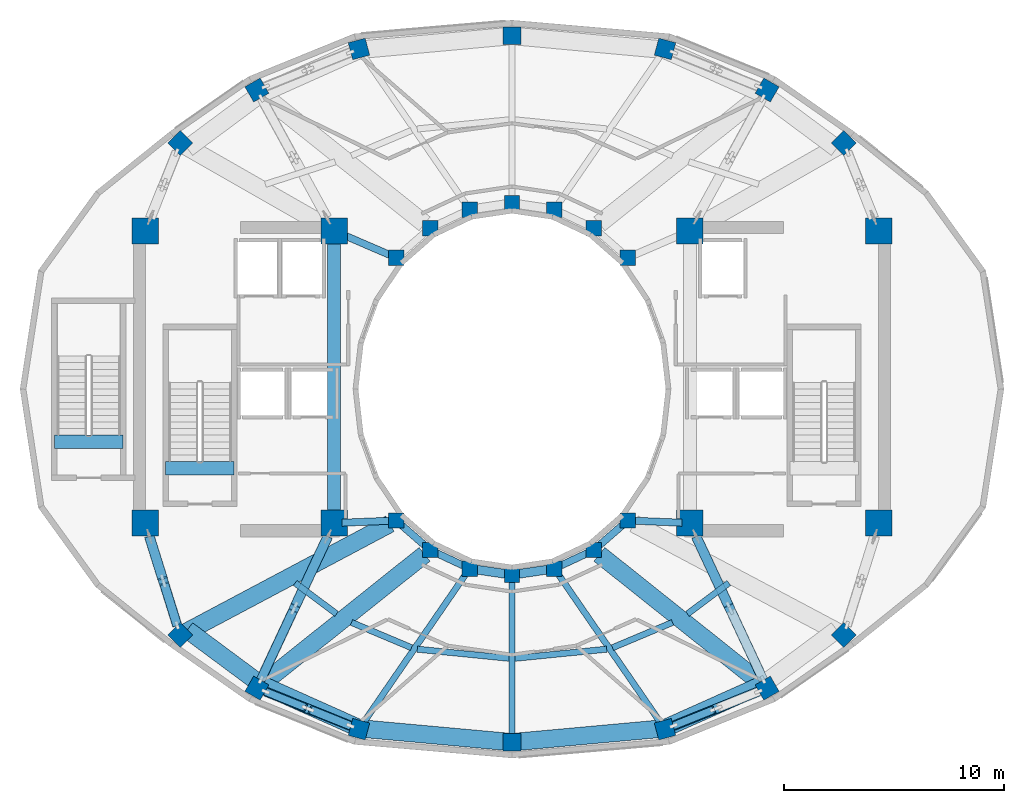
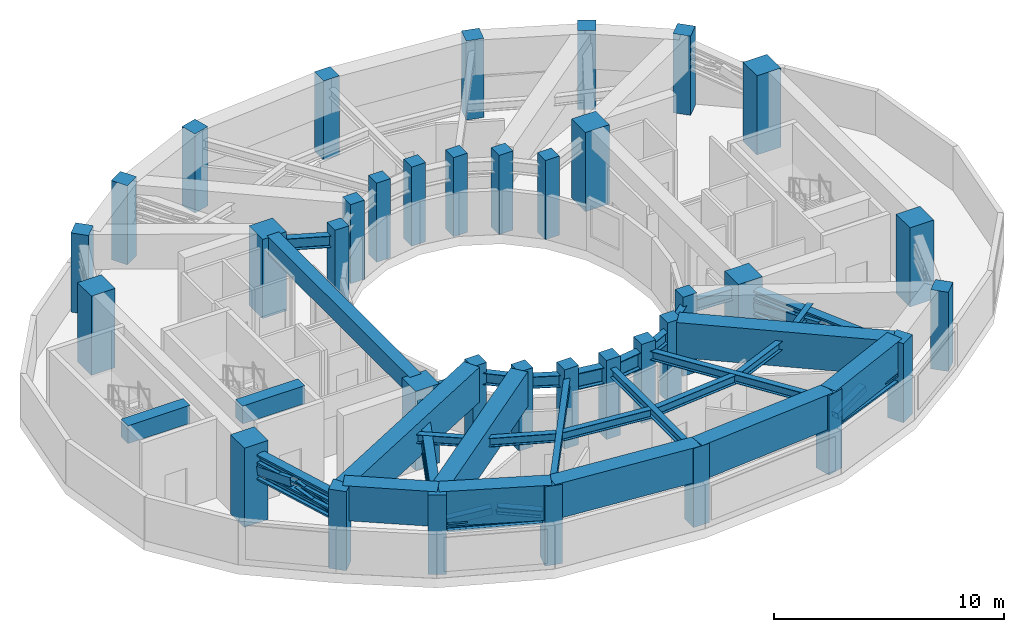
# One storey, part 1 of 10: 37 beams, 36 columns, 8 members.
"""IFC4 building model written with IfcOpenShell, lengths in metres."""

from ifc_helpers import new_model, si_unit, direction, frame, origin, origin_2d, place, context, subcontext, project, spatial, rectangle, hollow_rectangle, i_section, extrude, material, material_profile, profile_set, type_object, element, save


model = new_model("IFC4")

# Units and contexts
model_context = context("Model", 3, precision=1e-05, world=origin(), true_north=direction((0.0, 1.0)))
body_context = subcontext(model_context, "Body", "Model", "MODEL_VIEW")
ifc_project = project(units=[si_unit("LENGTHUNIT", "METRE"), si_unit("AREAUNIT", "SQUARE_METRE"), si_unit("VOLUMEUNIT", "CUBIC_METRE"), si_unit("PLANEANGLEUNIT", "RADIAN"), si_unit("MASSUNIT", "GRAM", prefix="KILO")], contexts=[model_context])

# Site, building, storey
site_placement = place(None, origin())
site = spatial("IfcSite", under=ifc_project, at=site_placement, CompositionType="ELEMENT")
building_placement = place(site_placement, origin())
building = spatial("IfcBuilding", under=site, at=building_placement, Name="Solvane Sanctuary Tower", CompositionType="ELEMENT")
storey_placement = place(building_placement, frame((0.0, 0.0, 193.199951171875)))
storey = spatial("IfcBuildingStorey", under=building, at=storey_placement, Name="L59", CompositionType="ELEMENT", Elevation=193.199951171875)

# Columns
ifc_material_1 = material(Name="Concrete C50/60", Category="concrete")
ifc_material_profile_1 = material_profile(ifc_material_1, rectangle(XDim=0.699951171875, YDim=0.699951171875, at=origin_2d()), Name="RC700X700")
ifc_profile_set_1 = profile_set([ifc_material_profile_1], Name="Concrete C50/60")
column_type_1 = type_object("IfcColumnType", Name="Column C-RING-Z4 RC700X700", PredefinedType="COLUMN", material=ifc_profile_set_1)
for number, where, z_axis, x_axis, name in (
    (1, (37.27490234375, 28.982177734375, 0.0), (0.0, 0.0, 1.0), (1.0, 0.0, 0.0), "L59 Inner Light-Well Ring Column IC01"),
    (2, (35.72998046875, 30.32666015625, 0.0), (0.0, 0.0, 1.0), (1.0, 0.0, 0.0), "L59 Inner Light-Well Ring Column IC02"),
    (3, (33.930908203125, 31.171630859375, 0.0), (0.0, 0.0, 1.0), (1.0, 0.0, 0.0), "L59 Inner Light-Well Ring Column IC03"),
    (4, (32.0, 31.4599609375, 0.0), (0.0, 0.0, 1.0), (1.0, 0.0, 0.0), "L59 Inner Light-Well Ring Column IC04"),
    (5, (30.069091796875, 31.171630859375, 0.0), (0.0, 0.0, 1.0), (1.0, 0.0, 0.0), "L59 Inner Light-Well Ring Column IC05"),
    (6, (28.27001953125, 30.32666015625, 0.0), (0.0, 0.0, 1.0), (1.0, 0.0, 0.0), "L59 Inner Light-Well Ring Column IC06"),
    (7, (26.72509765625, 28.982177734375, 0.0), (0.0, 0.0, 1.0), (1.0, 0.0, 0.0), "L59 Inner Light-Well Ring Column IC07"),
    (8, (26.72509765625, 17.017822265625, 0.0), (0.0, 0.0, 1.0), (1.0, 0.0, 0.0), "L59 Inner Light-Well Ring Column IC08"),
    (9, (28.27001953125, 15.67333984375, 0.0), (0.0, 0.0, 1.0), (1.0, 0.0, 0.0), "L59 Inner Light-Well Ring Column IC09"),
    (10, (30.069091796875, 14.828369140625, 0.0), (0.0, 0.0, 1.0), (1.0, 0.0, 0.0), "L59 Inner Light-Well Ring Column IC10"),
    (11, (32.0, 14.5400390625, 0.0), (0.0, 0.0, 1.0), (1.0, 0.0, 0.0), "L59 Inner Light-Well Ring Column IC11"),
    (12, (33.930908203125, 14.828369140625, 0.0), (0.0, 0.0, 1.0), (1.0, 0.0, 0.0), "L59 Inner Light-Well Ring Column IC12"),
    (13, (35.72998046875, 15.67333984375, 0.0), (0.0, 0.0, 1.0), (1.0, 0.0, 0.0), "L59 Inner Light-Well Ring Column IC13"),
    (14, (37.27490234375, 17.017822265625, 0.0), (0.0, 0.0, 1.0), (1.0, 0.0, 0.0), "L59 Inner Light-Well Ring Column IC14"),
):
    element("IfcColumn", number, at=place(storey_placement, frame(where, z_axis=z_axis, x_axis=x_axis)), inside=storey, type_object=column_type_1, Name=name, PredefinedType="COLUMN", context=body_context, shape_type="SweptSolid", body=[
        extrude(rectangle(XDim=0.699951171875, YDim=0.699951171875, at=origin_2d()), origin(), (0.0, 0.0, 1.0), 4.199951171875),
    ])
ifc_material_2 = material(Name="Concrete C70/85", Category="concrete")
ifc_material_profile_2 = material_profile(ifc_material_2, rectangle(XDim=1.199951171875, YDim=1.199951171875, at=origin_2d()), Name="RC1200X1200")
ifc_profile_set_2 = profile_set([ifc_material_profile_2], Name="Concrete C70/85")
column_type_2 = type_object("IfcColumnType", Name="Column C-TUBE-Z1 RC1200X1200", PredefinedType="COLUMN", material=ifc_profile_set_2)
for number, where, z_axis, x_axis, name in (
    (15, (15.300048828125, 16.89990234375, 0.0), (0.0, 0.0, 1.0), (1.0, 0.0, 0.0), "L59 Core Corner Column CW1"),
    (16, (23.89990234375, 16.89990234375, 0.0), (0.0, 0.0, 1.0), (1.0, 0.0, 0.0), "L59 Core Corner Column CW2"),
    (17, (23.89990234375, 30.199951171875, 0.0), (0.0, 0.0, 1.0), (1.0, 0.0, 0.0), "L59 Core Corner Column CW3"),
    (18, (15.300048828125, 30.199951171875, 0.0), (0.0, 0.0, 1.0), (1.0, 0.0, 0.0), "L59 Core Corner Column CW4"),
    (19, (40.10009765625, 16.89990234375, 0.0), (0.0, 0.0, 1.0), (1.0, 0.0, 0.0), "L59 Core Corner Column CE1"),
    (20, (48.699951171875, 16.89990234375, 0.0), (0.0, 0.0, 1.0), (1.0, 0.0, 0.0), "L59 Core Corner Column CE2"),
    (21, (48.699951171875, 30.199951171875, 0.0), (0.0, 0.0, 1.0), (1.0, 0.0, 0.0), "L59 Core Corner Column CE3"),
    (22, (40.10009765625, 30.199951171875, 0.0), (0.0, 0.0, 1.0), (1.0, 0.0, 0.0), "L59 Core Corner Column CE4"),
):
    element("IfcColumn", number, at=place(storey_placement, frame(where, z_axis=z_axis, x_axis=x_axis)), inside=storey, type_object=column_type_2, Name=name, PredefinedType="COLUMN", context=body_context, shape_type="SweptSolid", body=[
        extrude(rectangle(XDim=1.199951171875, YDim=1.199951171875, at=origin_2d()), origin(), (0.0, 0.0, 1.0), 4.199951171875),
    ])
ifc_material_profile_3 = material_profile(ifc_material_1, rectangle(XDim=0.800048828125, YDim=0.800048828125, at=origin_2d()), Name="RC800X800")
ifc_profile_set_3 = profile_set([ifc_material_profile_3], Name="Concrete C50/60")
column_type_3 = type_object("IfcColumnType", Name="Column C-TUBE-Z4 RC800X800", PredefinedType="COLUMN", material=ifc_profile_set_3)
for number, where, z_axis, x_axis, name in (
    (23, (47.104736328125, 34.203125, 0.0), (0.0, 0.0, 1.0), (0.707106781187, 0.707106781187, 0.0), "L59 Perimeter Tube Column TC01"),
    (24, (43.6142578125, 36.614990234375, 0.0), (0.0, 0.0, 1.0), (0.5, 0.866025403784, 0.0), "L59 Perimeter Tube Column TC02"),
    (25, (38.96728515625, 38.4853515625, 0.0), (0.0, 0.0, 1.0), (0.258819045103, 0.965925826289, 0.0), "L59 Perimeter Tube Column TC03"),
    (26, (32.0, 39.080078125, 0.0), (0.0, 0.0, 1.0), (0.0, 1.0, 0.0), "L59 Perimeter Tube Column TC04"),
    (27, (25.03271484375, 38.4853515625, 0.0), (0.0, 0.0, 1.0), (-0.258819045103, 0.965925826289, 0.0), "L59 Perimeter Tube Column TC05"),
    (28, (20.3857421875, 36.614990234375, 0.0), (0.0, 0.0, 1.0), (-0.5, 0.866025403784, 0.0), "L59 Perimeter Tube Column TC06"),
    (29, (16.895263671875, 34.203125, 0.0), (0.0, 0.0, 1.0), (-0.707106781187, 0.707106781187, 0.0), "L59 Perimeter Tube Column TC07"),
    (30, (16.895263671875, 11.796875, 0.0), (0.0, 0.0, 1.0), (-0.707106781187, -0.707106781187, 0.0), "L59 Perimeter Tube Column TC08"),
    (31, (20.3857421875, 9.385009765625, 0.0), (0.0, 0.0, 1.0), (-0.5, -0.866025403784, 0.0), "L59 Perimeter Tube Column TC09"),
    (32, (25.03271484375, 7.5146484375, 0.0), (0.0, 0.0, 1.0), (-0.258819045103, -0.965925826289, 0.0), "L59 Perimeter Tube Column TC10"),
    (33, (32.0, 6.919921875, 0.0), (0.0, 0.0, 1.0), (0.0, -1.0, 0.0), "L59 Perimeter Tube Column TC11"),
    (34, (38.96728515625, 7.5146484375, 0.0), (0.0, 0.0, 1.0), (0.258819045103, -0.965925826289, 0.0), "L59 Perimeter Tube Column TC12"),
    (35, (43.6142578125, 9.385009765625, 0.0), (0.0, 0.0, 1.0), (0.5, -0.866025403784, 0.0), "L59 Perimeter Tube Column TC13"),
    (36, (47.104736328125, 11.796875, 0.0), (0.0, 0.0, 1.0), (0.707106781187, -0.707106781187, 0.0), "L59 Perimeter Tube Column TC14"),
):
    element("IfcColumn", number, at=place(storey_placement, frame(where, z_axis=z_axis, x_axis=x_axis)), inside=storey, type_object=column_type_3, Name=name, PredefinedType="COLUMN", context=body_context, shape_type="SweptSolid", body=[
        extrude(rectangle(XDim=0.800048828125, YDim=0.800048828125, at=origin_2d()), origin(), (0.0, 0.0, 1.0), 4.199951171875),
    ])

# Beams
ifc_material_3 = material(Name="Steel ASTM A913 Grade 65", Category="steel")
ifc_material_profile_4 = material_profile(ifc_material_3, i_section(OverallWidth=0.403076171875, OverallDepth=0.867919921875, WebThickness=0.02099609375, FlangeThickness=0.03564453125, FilletRadius=0.02197265625, at=origin_2d()), Name="W33X241")
ifc_profile_set_4 = profile_set([ifc_material_profile_4], Name="Steel ASTM A913 Grade 65")
beam_type_1 = type_object("IfcBeamType", Name="Beam B-BELT-CH W33X241", PredefinedType="BEAM", material=ifc_profile_set_4)
for number, where, z_axis, x_axis, name in (
    (37, (30.3857421875, 14.781005859375, 3.26416015625), (0.989056121481, -0.147539786368, 0.0), (0.147539786368, 0.989056121481, 0.0), "L59 Inner Belt Chord IC10-IC11"),
    (38, (32.31640625, 14.58740234375, 3.26416015625), (0.989056121481, 0.147539786368, 0.0), (-0.147539786368, 0.989056121481, 0.0), "L59 Inner Belt Chord IC11-IC12"),
):
    element("IfcBeam", number, at=place(storey_placement, frame(where, z_axis=z_axis, x_axis=x_axis)), inside=storey, type_object=beam_type_1, Name=name, PredefinedType="BEAM", context=body_context, shape_type="SweptSolid", body=[
        extrude(i_section(OverallWidth=0.403076171875, OverallDepth=0.867919921875, WebThickness=0.02099609375, FlangeThickness=0.03564453125, FilletRadius=0.02197265625, at=origin_2d()), origin(), (0.0, 0.0, 1.0), 1.312255859375),
    ])
ifc_material_profile_5 = material_profile(ifc_material_2, rectangle(XDim=0.60009765625, YDim=0.949951171875, at=origin_2d()), Name="RC600X950")
ifc_profile_set_5 = profile_set([ifc_material_profile_5], Name="Concrete C70/85")
beam_type_2 = type_object("IfcBeamType", Name="Beam B-COUPLE RC600X950", PredefinedType="LINTEL", material=ifc_profile_set_5)
beam_1_placement = place(storey_placement, frame((23.89990234375, 17.35009765625, 3.72509765625), z_axis=(0.0, 1.0, 0.0), x_axis=(-1.0, 0.0, 0.0)))
element("IfcBeam", 39, at=beam_1_placement, inside=storey, type_object=beam_type_2, Name="L59 West Core Coupling Lintel", PredefinedType="LINTEL", context=body_context, shape_type="SweptSolid", body=[
    extrude(rectangle(XDim=0.60009765625, YDim=0.949951171875, at=origin_2d()), origin(), (0.0, 0.0, 1.0), 12.39990234375),
])
for number, where, z_axis, x_axis, name in (
    (40, (16.22998046875, 19.399169921875, 3.72509765625), (1.0, 0.0, 0.0), (0.0, 1.0, 0.0), "L59 ST-1 Stair Floor Landing Trimmer"),
    (41, (11.169921875, 20.59912109375, 3.72509765625), (1.0, 0.0, 0.0), (0.0, 1.0, 0.0), "L59 ST-3 Stair Floor Landing Trimmer"),
):
    element("IfcBeam", number, at=place(storey_placement, frame(where, z_axis=z_axis, x_axis=x_axis)), inside=storey, type_object=beam_type_2, Name=name, PredefinedType="LINTEL", context=body_context, shape_type="SweptSolid", body=[
        extrude(rectangle(XDim=0.60009765625, YDim=0.949951171875, at=origin_2d()), origin(), (0.0, 0.0, 1.0), 3.1201171875),
    ])
ifc_material_profile_6 = material_profile(ifc_material_3, i_section(OverallWidth=0.431884765625, OverallDepth=0.498046875, WebThickness=0.0556640625, FlangeThickness=0.0888671875, FilletRadius=0.02490234375, at=origin_2d()), Name="W14X500")
ifc_profile_set_6 = profile_set([ifc_material_profile_6], Name="Steel ASTM A913 Grade 65")
beam_type_3 = type_object("IfcBeamType", Name="Beam B-OUTR-CH W14X500", PredefinedType="BEAM", material=ifc_profile_set_6)
for number, where, z_axis, x_axis, name in (
    (42, (15.490478515625, 16.29052734375, 3.448974609375), (0.298373195147, -0.954449284361, 0.0), (0.954449284361, 0.298373195147, 0.0), "L59 Outrigger Top Chord OW3"),
    (43, (15.490478515625, 16.29052734375, 2.610107421875), (0.298373195147, -0.954449284361, 0.0), (0.954449284361, 0.298373195147, 0.0), "L59 Outrigger Bottom Chord OW3"),
):
    element("IfcBeam", number, at=place(storey_placement, frame(where, z_axis=z_axis, x_axis=x_axis)), inside=storey, type_object=beam_type_3, Name=name, PredefinedType="BEAM", context=body_context, shape_type="SweptSolid", body=[
        extrude(i_section(OverallWidth=0.431884765625, OverallDepth=0.498046875, WebThickness=0.0556640625, FlangeThickness=0.0888671875, FilletRadius=0.02490234375, at=origin_2d()), origin(), (0.0, 0.0, 1.0), 4.24658203125),
    ])
for number, where, z_axis, x_axis, name in (
    (44, (23.615234375, 16.291015625, 3.448974609375), (-0.423595067345, -0.905851653926, 0.0), (0.905851653926, -0.423595067345, 0.0), "L59 Outrigger Top Chord OW4"),
    (45, (23.615234375, 16.291015625, 2.610107421875), (-0.423595067345, -0.905851653926, 0.0), (0.905851653926, -0.423595067345, 0.0), "L59 Outrigger Bottom Chord OW4"),
    (46, (40.384765625, 16.291015625, 3.448974609375), (0.423595067345, -0.905851653926, 0.0), (0.905851653926, 0.423595067345, 0.0), "L59 Outrigger Top Chord OE4"),
    (47, (40.384765625, 16.291015625, 2.610107421875), (0.423595067345, -0.905851653926, 0.0), (0.905851653926, 0.423595067345, 0.0), "L59 Outrigger Bottom Chord OE4"),
):
    element("IfcBeam", number, at=place(storey_placement, frame(where, z_axis=z_axis, x_axis=x_axis)), inside=storey, type_object=beam_type_3, Name=name, PredefinedType="BEAM", context=body_context, shape_type="SweptSolid", body=[
        extrude(i_section(OverallWidth=0.431884765625, OverallDepth=0.498046875, WebThickness=0.0556640625, FlangeThickness=0.0888671875, FilletRadius=0.02490234375, at=origin_2d()), origin(), (0.0, 0.0, 1.0), 7.21240234375),
    ])
for number, where, z_axis, x_axis, name in (
    (48, (20.769775390625, 9.230224609375, 2.300048828125), (0.927677396814, -0.373382709082, 0.0), (0.373382709082, 0.927677396814, 0.0), "L59 Belt Truss Bottom Chord 09-10"),
    (49, (39.3505859375, 7.668701171875, 2.300048828125), (0.927677396814, 0.373382709082, 0.0), (-0.373382709082, 0.927677396814, 0.0), "L59 Belt Truss Bottom Chord 12-13"),
):
    element("IfcBeam", number, at=place(storey_placement, frame(where, z_axis=z_axis, x_axis=x_axis)), inside=storey, type_object=beam_type_3, Name=name, PredefinedType="BEAM", context=body_context, shape_type="SweptSolid", body=[
        extrude(i_section(OverallWidth=0.431884765625, OverallDepth=0.498046875, WebThickness=0.0556640625, FlangeThickness=0.0888671875, FilletRadius=0.02490234375, at=origin_2d()), origin(), (0.0, 0.0, 1.0), 4.18212890625),
    ])
ifc_material_4 = material(Name="Steel ASTM A992 Grade 50", Category="steel")
ifc_material_profile_7 = material_profile(ifc_material_4, i_section(OverallWidth=0.282958984375, OverallDepth=0.471923828125, WebThickness=0.013671875, FlangeThickness=0.022216796875, FilletRadius=0.013916015625, at=origin_2d()), Name="W18X97")
ifc_profile_set_7 = profile_set([ifc_material_profile_7], Name="Steel ASTM A992 Grade 50")
beam_type_4 = type_object("IfcBeamType", Name="Beam B-RAD-Z4 W18X97", PredefinedType="JOIST", material=ifc_profile_set_7)
beam_2_placement = place(storey_placement, frame((29.910400390625, 14.59765625, 3.462158203125), z_axis=(-0.567171239432, -0.823599893857, 0.0), x_axis=(0.823599893857, -0.567171239432, 0.0)))
element("IfcBeam", 50, at=beam_2_placement, inside=storey, type_object=beam_type_4, Name="L59 Radial Composite Floor Beam 10", PredefinedType="JOIST", context=body_context, shape_type="SweptSolid", body=[
    extrude(i_section(OverallWidth=0.282958984375, OverallDepth=0.471923828125, WebThickness=0.013671875, FlangeThickness=0.022216796875, FilletRadius=0.013916015625, at=origin_2d()), origin(), (0.0, 0.0, 1.0), 8.3203125),
])
beam_3_placement = place(storey_placement, frame((32.0, 14.260009765625, 3.462158203125), z_axis=(0.0, -1.0, 0.0), x_axis=(1.0, 0.0, 0.0)))
element("IfcBeam", 51, at=beam_3_placement, inside=storey, type_object=beam_type_4, Name="L59 Radial Composite Floor Beam 11", PredefinedType="JOIST", context=body_context, shape_type="SweptSolid", body=[
    extrude(i_section(OverallWidth=0.282958984375, OverallDepth=0.471923828125, WebThickness=0.013671875, FlangeThickness=0.022216796875, FilletRadius=0.013916015625, at=origin_2d()), origin(), (0.0, 0.0, 1.0), 7.06005859375),
])
beam_4_placement = place(storey_placement, frame((34.089599609375, 14.59765625, 3.462158203125), z_axis=(0.567171239432, -0.823599893857, 0.0), x_axis=(0.823599893857, 0.567171239432, 0.0)))
element("IfcBeam", 52, at=beam_4_placement, inside=storey, type_object=beam_type_4, Name="L59 Radial Composite Floor Beam 12", PredefinedType="JOIST", context=body_context, shape_type="SweptSolid", body=[
    extrude(i_section(OverallWidth=0.282958984375, OverallDepth=0.471923828125, WebThickness=0.013671875, FlangeThickness=0.022216796875, FilletRadius=0.013916015625, at=origin_2d()), origin(), (0.0, 0.0, 1.0), 8.3203125),
])
ifc_material_profile_8 = material_profile(ifc_material_4, i_section(OverallWidth=0.324951171875, OverallDepth=0.615966796875, WebThickness=0.013916015625, FlangeThickness=0.021484375, FilletRadius=0.01611328125, at=origin_2d()), Name="W24X117")
ifc_profile_set_8 = profile_set([ifc_material_profile_8], Name="Steel ASTM A992 Grade 50")
beam_type_5 = type_object("IfcBeamType", Name="Beam B-RING-IN2 W24X117", PredefinedType="BEAM", material=ifc_profile_set_8)
beam_5_placement = place(storey_placement, frame((24.230712890625, 30.0576171875, 3.39013671875), z_axis=(0.918283854026, -0.395922673554, 0.0), x_axis=(0.395922673554, 0.918283854026, 0.0)))
element("IfcBeam", 53, at=beam_5_placement, inside=storey, type_object=beam_type_5, Name="L59 Inner Light-Well Ring Beam CW3-IC07", PredefinedType="BEAM", context=body_context, shape_type="SweptSolid", body=[
    extrude(i_section(OverallWidth=0.324951171875, OverallDepth=0.615966796875, WebThickness=0.013916015625, FlangeThickness=0.021484375, FilletRadius=0.01611328125, at=origin_2d()), origin(), (0.0, 0.0, 1.0), 2.396240234375),
])
beam_6_placement = place(storey_placement, frame((24.259765625, 16.9150390625, 3.39013671875), z_axis=(0.999129127803, 0.041725124022, 0.0), x_axis=(-0.041725124022, 0.999129127803, 0.0)))
element("IfcBeam", 54, at=beam_6_placement, inside=storey, type_object=beam_type_5, Name="L59 Inner Light-Well Ring Beam CW2-IC08", PredefinedType="BEAM", context=body_context, shape_type="SweptSolid", body=[
    extrude(i_section(OverallWidth=0.324951171875, OverallDepth=0.615966796875, WebThickness=0.013916015625, FlangeThickness=0.021484375, FilletRadius=0.01611328125, at=origin_2d()), origin(), (0.0, 0.0, 1.0), 2.1474609375),
])
beam_7_placement = place(storey_placement, frame((26.96630859375, 16.807861328125, 3.39013671875), z_axis=(0.754388985763, -0.656427648839, 0.0), x_axis=(0.656427648839, 0.754388985763, 0.0)))
element("IfcBeam", 55, at=beam_7_placement, inside=storey, type_object=beam_type_5, Name="L59 Inner Light-Well Ring Beam IC08-IC09", PredefinedType="BEAM", context=body_context, shape_type="SweptSolid", body=[
    extrude(i_section(OverallWidth=0.324951171875, OverallDepth=0.615966796875, WebThickness=0.013916015625, FlangeThickness=0.021484375, FilletRadius=0.01611328125, at=origin_2d()), origin(), (0.0, 0.0, 1.0), 1.408203125),
])
for number, where, z_axis, x_axis, name in (
    (56, (28.5595703125, 15.537353515625, 3.39013671875), (0.905134542189, -0.425125229241, 0.0), (0.425125229241, 0.905134542189, 0.0), "L59 Inner Light-Well Ring Beam IC09-IC10"),
    (57, (34.220458984375, 14.96435546875, 3.39013671875), (0.905134542189, 0.425125229241, 0.0), (-0.425125229241, 0.905134542189, 0.0), "L59 Inner Light-Well Ring Beam IC12-IC13"),
):
    element("IfcBeam", number, at=place(storey_placement, frame(where, z_axis=z_axis, x_axis=x_axis)), inside=storey, type_object=beam_type_5, Name=name, PredefinedType="BEAM", context=body_context, shape_type="SweptSolid", body=[
        extrude(i_section(OverallWidth=0.324951171875, OverallDepth=0.615966796875, WebThickness=0.013916015625, FlangeThickness=0.021484375, FilletRadius=0.01611328125, at=origin_2d()), origin(), (0.0, 0.0, 1.0), 1.347900390625),
    ])
beam_8_placement = place(storey_placement, frame((35.971435546875, 15.883544921875, 3.39013671875), z_axis=(0.754388985763, 0.656427648839, 0.0), x_axis=(-0.656427648839, 0.754388985763, 0.0)))
element("IfcBeam", 58, at=beam_8_placement, inside=storey, type_object=beam_type_5, Name="L59 Inner Light-Well Ring Beam IC13-IC14", PredefinedType="BEAM", context=body_context, shape_type="SweptSolid", body=[
    extrude(i_section(OverallWidth=0.324951171875, OverallDepth=0.615966796875, WebThickness=0.013916015625, FlangeThickness=0.021484375, FilletRadius=0.01611328125, at=origin_2d()), origin(), (0.0, 0.0, 1.0), 1.408203125),
])
beam_9_placement = place(storey_placement, frame((37.5947265625, 17.004638671875, 3.39013671875), z_axis=(0.999129127803, -0.041725124022, 0.0), x_axis=(0.041725124022, 0.999129127803, 0.0)))
element("IfcBeam", 59, at=beam_9_placement, inside=storey, type_object=beam_type_5, Name="L59 Inner Light-Well Ring Beam IC14-CE1", PredefinedType="BEAM", context=body_context, shape_type="SweptSolid", body=[
    extrude(i_section(OverallWidth=0.324951171875, OverallDepth=0.615966796875, WebThickness=0.013916015625, FlangeThickness=0.021484375, FilletRadius=0.01611328125, at=origin_2d()), origin(), (0.0, 0.0, 1.0), 2.1474609375),
])
ifc_material_profile_9 = material_profile(ifc_material_4, i_section(OverallWidth=0.280029296875, OverallDepth=0.462890625, WebThickness=0.0107421875, FlangeThickness=0.017333984375, FilletRadius=0.013916015625, at=origin_2d()), Name="W18X76")
ifc_profile_set_9 = profile_set([ifc_material_profile_9], Name="Steel ASTM A992 Grade 50")
beam_type_6 = type_object("IfcBeamType", Name="Beam B-SEC-JOIST W18X76", PredefinedType="JOIST", material=ifc_profile_set_9)
beam_10_placement = place(storey_placement, frame((22.126708984375, 14.171142578125, 3.466552734375), z_axis=(0.801554931365, -0.597921141961, 0.0), x_axis=(0.597921141961, 0.801554931365, 0.0)))
element("IfcBeam", 60, at=beam_10_placement, inside=storey, type_object=beam_type_6, Name="L59 Secondary Circumferential Joist 08-09", PredefinedType="JOIST", context=body_context, shape_type="SweptSolid", body=[
    extrude(i_section(OverallWidth=0.280029296875, OverallDepth=0.462890625, WebThickness=0.0107421875, FlangeThickness=0.017333984375, FilletRadius=0.013916015625, at=origin_2d()), origin(), (0.0, 0.0, 1.0), 2.35107421875),
])
beam_11_placement = place(storey_placement, frame((24.69189453125, 12.3759765625, 3.466552734375), z_axis=(0.92156718097, -0.388218921434, 0.0), x_axis=(0.388218921434, 0.92156718097, 0.0)))
element("IfcBeam", 61, at=beam_11_placement, inside=storey, type_object=beam_type_6, Name="L59 Secondary Circumferential Joist 09-10", PredefinedType="JOIST", context=body_context, shape_type="SweptSolid", body=[
    extrude(i_section(OverallWidth=0.280029296875, OverallDepth=0.462890625, WebThickness=0.0107421875, FlangeThickness=0.017333984375, FilletRadius=0.013916015625, at=origin_2d()), origin(), (0.0, 0.0, 1.0), 2.9658203125),
])
for number, where, z_axis, x_axis, name in (
    (62, (27.686767578125, 11.157958984375, 3.466552734375), (0.995112334743, -0.098749386032, 0.0), (0.098749386032, 0.995112334743, 0.0), "L59 Secondary Circumferential Joist 10-11"),
    (63, (32.1357421875, 10.743408203125, 3.466552734375), (0.995112334743, 0.098749386032, 0.0), (-0.098749386032, 0.995112334743, 0.0), "L59 Secondary Circumferential Joist 11-12"),
):
    element("IfcBeam", number, at=place(storey_placement, frame(where, z_axis=z_axis, x_axis=x_axis)), inside=storey, type_object=beam_type_6, Name=name, PredefinedType="JOIST", context=body_context, shape_type="SweptSolid", body=[
        extrude(i_section(OverallWidth=0.280029296875, OverallDepth=0.462890625, WebThickness=0.0107421875, FlangeThickness=0.017333984375, FilletRadius=0.013916015625, at=origin_2d()), origin(), (0.0, 0.0, 1.0), 4.197998046875),
    ])
beam_12_placement = place(storey_placement, frame((36.574951171875, 11.224609375, 3.466552734375), z_axis=(0.92156718097, 0.388218921434, 0.0), x_axis=(-0.388218921434, 0.92156718097, 0.0)))
element("IfcBeam", 64, at=beam_12_placement, inside=storey, type_object=beam_type_6, Name="L59 Secondary Circumferential Joist 12-13", PredefinedType="JOIST", context=body_context, shape_type="SweptSolid", body=[
    extrude(i_section(OverallWidth=0.280029296875, OverallDepth=0.462890625, WebThickness=0.0107421875, FlangeThickness=0.017333984375, FilletRadius=0.013916015625, at=origin_2d()), origin(), (0.0, 0.0, 1.0), 2.9658203125),
])
beam_13_placement = place(storey_placement, frame((39.98876953125, 12.765380859375, 3.466552734375), z_axis=(0.801554931365, 0.597921141961, 0.0), x_axis=(-0.597921141961, 0.801554931365, 0.0)))
element("IfcBeam", 65, at=beam_13_placement, inside=storey, type_object=beam_type_6, Name="L59 Secondary Circumferential Joist 13-14", PredefinedType="JOIST", context=body_context, shape_type="SweptSolid", body=[
    extrude(i_section(OverallWidth=0.280029296875, OverallDepth=0.462890625, WebThickness=0.0107421875, FlangeThickness=0.017333984375, FilletRadius=0.013916015625, at=origin_2d()), origin(), (0.0, 0.0, 1.0), 2.35107421875),
])
ifc_material_profile_10 = material_profile(ifc_material_2, rectangle(XDim=0.800048828125, YDim=1.85009765625, at=origin_2d()), Name="RC800X1850")
ifc_profile_set_10 = profile_set([ifc_material_profile_10], Name="Concrete C70/85")
beam_type_7 = type_object("IfcBeamType", Name="Beam B-XFER-BLK RC800X1850", PredefinedType="BEAM", material=ifc_profile_set_10)
beam_14_placement = place(storey_placement, frame((26.4423828125, 16.867919921875, 3.275146484375), z_axis=(-0.883148136955, -0.469094199701, 0.0), x_axis=(0.469094199701, -0.883148136955, 0.0)))
element("IfcBeam", 66, at=beam_14_placement, inside=storey, type_object=beam_type_7, Name="L59 Block-Shift Radial Transfer Girder 08A", PredefinedType="BEAM", context=body_context, shape_type="SweptSolid", body=[
    extrude(rectangle(XDim=0.800048828125, YDim=1.85009765625, at=origin_2d()), origin(), (0.0, 0.0, 1.0), 10.5302734375),
])
for number, where, z_axis, x_axis, name in (
    (67, (28.019775390625, 15.473876953125, 3.275146484375), (-0.78178956373, -0.623542362669, 0.0), (0.623542362669, -0.78178956373, 0.0), "L59 Block-Shift Radial Transfer Girder 09A"),
    (68, (35.980224609375, 15.473876953125, 3.275146484375), (0.78178956373, -0.623542362669, 0.0), (0.623542362669, 0.78178956373, 0.0), "L59 Block-Shift Radial Transfer Girder 13A"),
):
    element("IfcBeam", number, at=place(storey_placement, frame(where, z_axis=z_axis, x_axis=x_axis)), inside=storey, type_object=beam_type_7, Name=name, PredefinedType="BEAM", context=body_context, shape_type="SweptSolid", body=[
        extrude(rectangle(XDim=0.800048828125, YDim=1.85009765625, at=origin_2d()), origin(), (0.0, 0.0, 1.0), 9.485107421875),
    ])
beam_15_placement = place(storey_placement, frame((17.22021484375, 12.037841796875, 3.275146484375), z_axis=(0.802899508864, -0.596114400653, 0.0), x_axis=(0.596114400653, 0.802899508864, 0.0)))
element("IfcBeam", 69, at=beam_15_placement, inside=storey, type_object=beam_type_7, Name="L59 Perimeter Step Transfer Ring NTC08-NTC09", PredefinedType="BEAM", context=body_context, shape_type="SweptSolid", body=[
    extrude(rectangle(XDim=0.800048828125, YDim=1.85009765625, at=origin_2d()), origin(), (0.0, 0.0, 1.0), 4.139404296875),
])
beam_16_placement = place(storey_placement, frame((20.543701171875, 9.5703125, 3.275146484375), z_axis=(0.912772647113, -0.408467984893, 0.0), x_axis=(0.408467984893, 0.912772647113, 0.0)))
element("IfcBeam", 70, at=beam_16_placement, inside=storey, type_object=beam_type_7, Name="L59 Perimeter Step Transfer Ring NTC09-NTC10", PredefinedType="BEAM", context=body_context, shape_type="SweptSolid", body=[
    extrude(rectangle(XDim=0.800048828125, YDim=1.85009765625, at=origin_2d()), origin(), (0.0, 0.0, 1.0), 4.93701171875),
])
for number, where, z_axis, x_axis, name in (
    (71, (25.050048828125, 7.5537109375, 3.275146484375), (0.995867646348, -0.09081646854, 0.0), (0.09081646854, 0.995867646348, 0.0), "L59 Perimeter Step Transfer Ring NTC10-NTC11"),
    (72, (32.0, 6.919921875, 3.275146484375), (0.995867646348, 0.09081646854, 0.0), (-0.09081646854, 0.995867646348, 0.0), "L59 Perimeter Step Transfer Ring NTC11-NTC12"),
):
    element("IfcBeam", number, at=place(storey_placement, frame(where, z_axis=z_axis, x_axis=x_axis)), inside=storey, type_object=beam_type_7, Name=name, PredefinedType="BEAM", context=body_context, shape_type="SweptSolid", body=[
        extrude(rectangle(XDim=0.800048828125, YDim=1.85009765625, at=origin_2d()), origin(), (0.0, 0.0, 1.0), 6.978759765625),
    ])
beam_17_placement = place(storey_placement, frame((38.949951171875, 7.5537109375, 3.275146484375), z_axis=(0.912772647113, 0.408467984893, 0.0), x_axis=(-0.408467984893, 0.912772647113, 0.0)))
element("IfcBeam", 73, at=beam_17_placement, inside=storey, type_object=beam_type_7, Name="L59 Perimeter Step Transfer Ring NTC12-NTC13", PredefinedType="BEAM", context=body_context, shape_type="SweptSolid", body=[
    extrude(rectangle(XDim=0.800048828125, YDim=1.85009765625, at=origin_2d()), origin(), (0.0, 0.0, 1.0), 4.93701171875),
])

# Members
ifc_material_profile_11 = material_profile(ifc_material_3, hollow_rectangle(XDim=0.35009765625, YDim=0.35009765625, WallThickness=0.01611328125, at=origin_2d()), Name="HSS350X350X16")
ifc_profile_set_11 = profile_set([ifc_material_profile_11], Name="Steel ASTM A913 Grade 65")
member_type_1 = type_object("IfcMemberType", Name="Member M-BELT-DIAG HSS350X350X16", PredefinedType="BRACE", material=ifc_profile_set_11)
member_1_placement = place(storey_placement, frame((20.783447265625, 9.224853515625, 2.552001953125), z_axis=(0.909549985051, -0.366008750669, 0.196866500775), x_axis=(0.373314400014, 0.927704887743, 0.0)))
element("IfcMember", 74, at=member_1_placement, inside=storey, type_object=member_type_1, Name="L59 Belt Truss Diagonal 09-10", PredefinedType="BRACE", context=body_context, shape_type="SweptSolid", body=[
    extrude(hollow_rectangle(XDim=0.35009765625, YDim=0.35009765625, WallThickness=0.01611328125, at=origin_2d()), origin(), (0.0, 0.0, 1.0), 2.0078125),
])
member_2_placement = place(storey_placement, frame((39.364013671875, 7.67431640625, 2.552001953125), z_axis=(0.90957098376, 0.365968274444, 0.196844729676), x_axis=(-0.373271451622, 0.927722169296, 0.0)))
element("IfcMember", 75, at=member_2_placement, inside=storey, type_object=member_type_1, Name="L59 Belt Truss Diagonal 12-13", PredefinedType="BRACE", context=body_context, shape_type="SweptSolid", body=[
    extrude(hollow_rectangle(XDim=0.35009765625, YDim=0.35009765625, WallThickness=0.01611328125, at=origin_2d()), origin(), (0.0, 0.0, 1.0), 2.008056640625),
])
ifc_material_profile_12 = material_profile(ifc_material_4, i_section(OverallWidth=0.3740234375, OverallDepth=0.3720703125, WebThickness=0.016357421875, FlangeThickness=0.026123046875, FilletRadius=0.02490234375, at=origin_2d()), Name="W14X132")
ifc_profile_set_12 = profile_set([ifc_material_profile_12], Name="Steel ASTM A992 Grade 50")
member_type_2 = type_object("IfcMemberType", Name="Member M-BELT-POST W14X132", PredefinedType="POST", material=ifc_profile_set_12)
member_3_placement = place(storey_placement, frame((22.8095703125, 8.4091796875, 2.947265625), z_axis=(0.90957098376, -0.365968274444, -0.196844729676), x_axis=(0.373271451622, 0.927722169296, 0.0)))
element("IfcMember", 76, at=member_3_placement, inside=storey, type_object=member_type_2, Name="L59 Belt Truss Web Strut 09-10", PredefinedType="POST", context=body_context, shape_type="SweptSolid", body=[
    extrude(i_section(OverallWidth=0.3740234375, OverallDepth=0.3720703125, WebThickness=0.016357421875, FlangeThickness=0.026123046875, FilletRadius=0.02490234375, at=origin_2d()), origin(), (0.0, 0.0, 1.0), 2.008056640625),
])
ifc_material_profile_13 = material_profile(ifc_material_3, hollow_rectangle(XDim=0.449951171875, YDim=0.449951171875, WallThickness=0.02001953125, at=origin_2d()), Name="HSS450X450X20")
ifc_profile_set_13 = profile_set([ifc_material_profile_13], Name="Steel ASTM A913 Grade 65")
member_type_3 = type_object("IfcMemberType", Name="Member M-OUTR-DIAG HSS450X450X20", PredefinedType="BRACE", material=ifc_profile_set_13)
member_4_placement = place(storey_placement, frame((15.49658203125, 16.271728515625, 2.8623046875), z_axis=(0.294488992486, -0.942413593028, 0.158533444359), x_axis=(0.954484376716, 0.298260916992, 0.0)))
element("IfcMember", 77, at=member_4_placement, inside=storey, type_object=member_type_3, Name="L59 Outrigger Truss Diagonal OW3", PredefinedType="BRACE", context=body_context, shape_type="SweptSolid", body=[
    extrude(hollow_rectangle(XDim=0.449951171875, YDim=0.449951171875, WallThickness=0.02001953125, at=origin_2d()), origin(), (0.0, 0.0, 1.0), 2.00048828125),
])
for number, where, z_axis, x_axis, name in (
    (78, (23.606689453125, 16.27294921875, 2.86083984375), (-0.421730626173, -0.901820108585, 0.094147600608), (0.905843639499, -0.423612205654, 0.0), "L59 Outrigger Truss Diagonal OW4"),
    (79, (40.393310546875, 16.27294921875, 2.86083984375), (0.421730626173, -0.901820108585, 0.094147600608), (0.905843639499, 0.423612205654, 0.0), "L59 Outrigger Truss Diagonal OE4"),
):
    element("IfcMember", number, at=place(storey_placement, frame(where, z_axis=z_axis, x_axis=x_axis)), inside=storey, type_object=member_type_3, Name=name, PredefinedType="BRACE", context=body_context, shape_type="SweptSolid", body=[
        extrude(hollow_rectangle(XDim=0.449951171875, YDim=0.449951171875, WallThickness=0.02001953125, at=origin_2d()), origin(), (0.0, 0.0, 1.0), 3.47216796875),
    ])
ifc_material_profile_14 = material_profile(ifc_material_3, i_section(OverallWidth=0.39892578125, OverallDepth=0.386962890625, WebThickness=0.02099609375, FlangeThickness=0.033203125, FilletRadius=0.02490234375, at=origin_2d()), Name="W14X176")
ifc_profile_set_14 = profile_set([ifc_material_profile_14], Name="Steel ASTM A913 Grade 65")
member_type_4 = type_object("IfcMemberType", Name="Member M-OUTR-POST W14X176", PredefinedType="POST", material=ifc_profile_set_14)
member_5_placement = place(storey_placement, frame((16.162353515625, 14.1416015625, 3.179443359375), z_axis=(0.294566567868, -0.942393373506, -0.158509516015), x_axis=(0.954460184467, 0.298338325172, 0.0)))
element("IfcMember", 80, at=member_5_placement, inside=storey, type_object=member_type_4, Name="L59 Outrigger Web Strut OW3", PredefinedType="POST", context=body_context, shape_type="SweptSolid", body=[
    extrude(i_section(OverallWidth=0.39892578125, OverallDepth=0.386962890625, WebThickness=0.02099609375, FlangeThickness=0.033203125, FilletRadius=0.02490234375, at=origin_2d()), origin(), (0.0, 0.0, 1.0), 2.000732421875),
])
member_6_placement = place(storey_placement, frame((22.03271484375, 12.906982421875, 3.187744140625), z_axis=(-0.421730626173, -0.901820108585, -0.094147600608), x_axis=(0.905843639499, -0.423612205654, 0.0)))
element("IfcMember", 81, at=member_6_placement, inside=storey, type_object=member_type_4, Name="L59 Outrigger Web Strut OW4", PredefinedType="POST", context=body_context, shape_type="SweptSolid", body=[
    extrude(i_section(OverallWidth=0.39892578125, OverallDepth=0.386962890625, WebThickness=0.02099609375, FlangeThickness=0.033203125, FilletRadius=0.02490234375, at=origin_2d()), origin(), (0.0, 0.0, 1.0), 3.47216796875),
])

save(model, "model.ifc")
